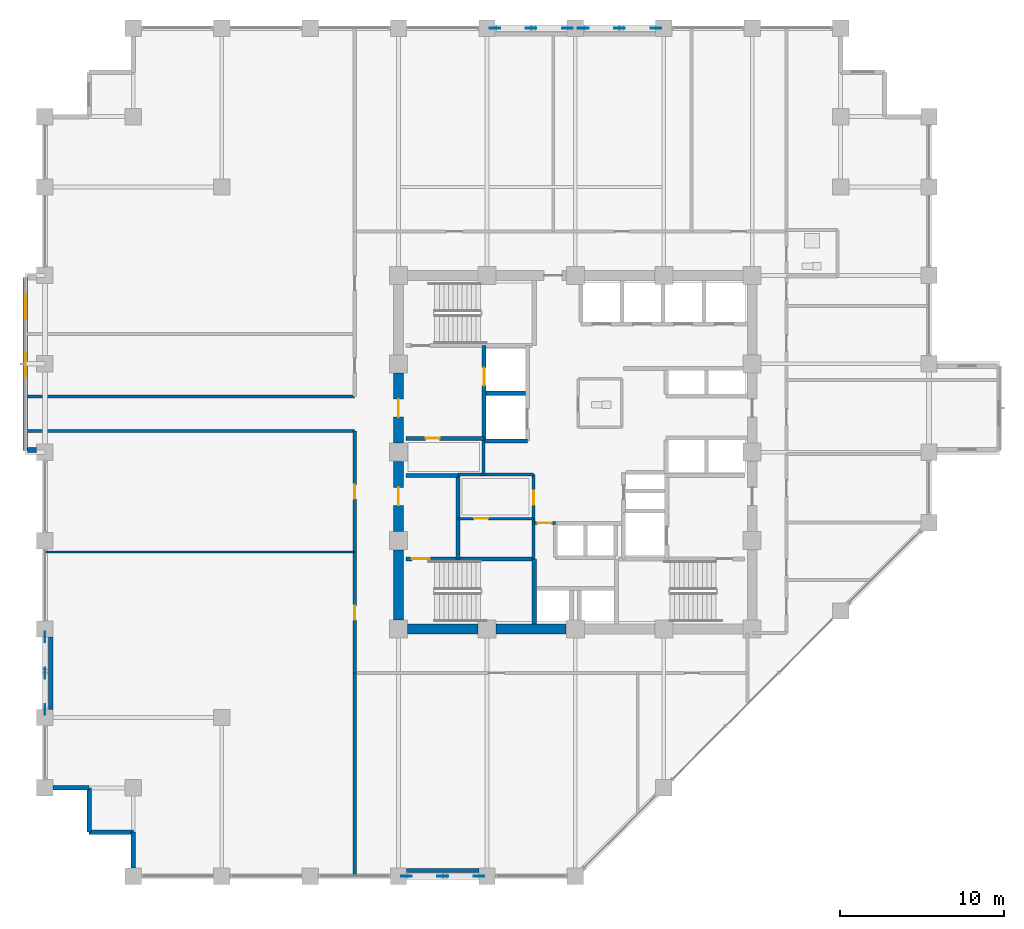
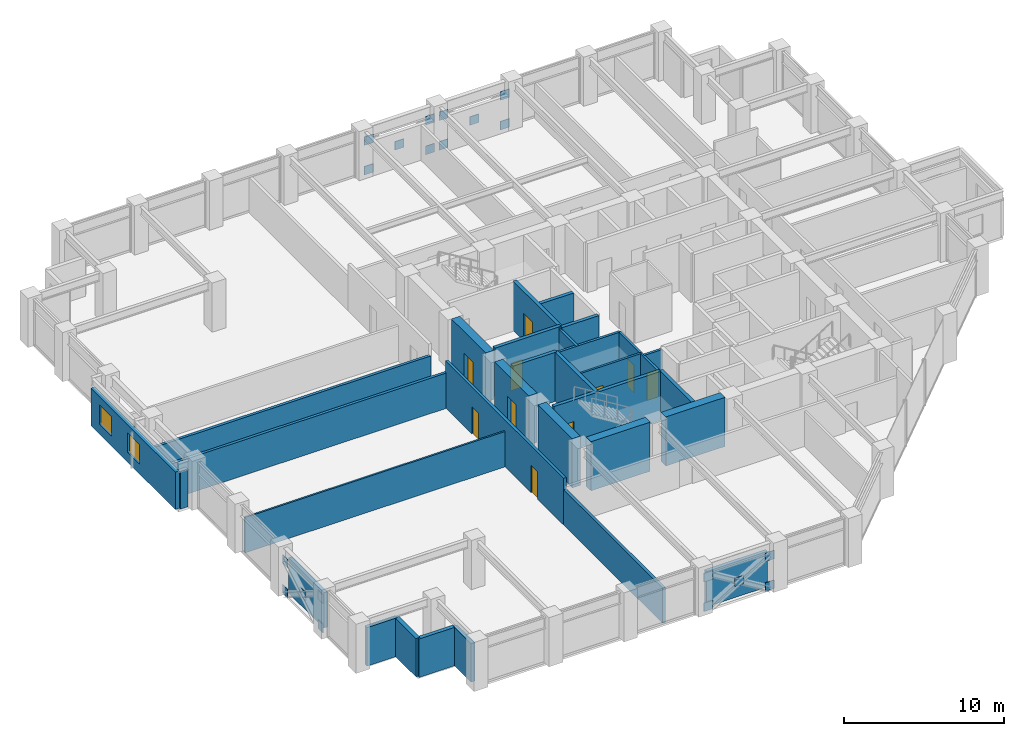
# One storey, part 18 of 25: 31 walls, 20 plates, 10 doors, 2 windows, 12 openings.
"""IFC4 building model written with IfcOpenShell, lengths in metres."""

from ifc_helpers import new_model, si_unit, direction, frame, frame_2d, origin, origin_2d, place, context, subcontext, project, spatial, rectangle, extrude, material, layer, layer_set, type_object, element, fill, save


model = new_model("IFC4")

# Units and contexts
model_context = context("Model", 3, precision=1e-05, world=origin(), true_north=direction((0.0, 1.0)))
body_context = subcontext(model_context, "Body", "Model", "MODEL_VIEW")
ifc_project = project(units=[si_unit("LENGTHUNIT", "METRE"), si_unit("AREAUNIT", "SQUARE_METRE"), si_unit("VOLUMEUNIT", "CUBIC_METRE"), si_unit("PLANEANGLEUNIT", "RADIAN"), si_unit("MASSUNIT", "GRAM", prefix="KILO")], contexts=[model_context])

# Site, building, storey
site_placement = place(None, origin())
site = spatial("IfcSite", under=ifc_project, at=site_placement, CompositionType="ELEMENT")
building_placement = place(site_placement, origin())
building = spatial("IfcBuilding", under=site, at=building_placement, Name="Surkhivell Harbour Commons", CompositionType="ELEMENT")
storey_placement = place(building_placement, frame((0.0, 0.0, 139.5)))
storey = spatial("IfcBuildingStorey", under=building, at=storey_placement, Name="L36", CompositionType="ELEMENT", Elevation=139.5)

# Plates
ifc_material_1 = material(Name="Steel S460", Category="steel")
ifc_layer_1 = layer(ifc_material_1, 0.044921875)
ifc_layer_set_1 = layer_set([ifc_layer_1], Name="Steel S460")
plate_type = type_object("IfcPlateType", Name="PLT-GUS-650", PredefinedType="USERDEFINED", material=ifc_layer_set_1)
for number, where, z_axis, x_axis, name in (
    (1, (-4.9150390625, 25.89990234375, -0.08935546875), (0.0, 0.0, 1.0), (1.0, 0.0, 0.0), "L36 Perimeter Mega-Brace MB- Corner Gusset N-1"),
    (2, (-0.485107421875, 25.89990234375, -0.08935546875), (0.0, 0.0, 1.0), (1.0, 0.0, 0.0), "L36 Perimeter Mega-Brace MB- Corner Gusset N-2"),
    (3, (-4.9150390625, 25.89990234375, 2.170654296875), (0.0, 0.0, 1.0), (1.0, 0.0, 0.0), "L36 Perimeter Mega-Brace MB- Corner Gusset N-3"),
    (4, (-0.485107421875, 25.89990234375, 2.170654296875), (0.0, 0.0, 1.0), (1.0, 0.0, 0.0), "L36 Perimeter Mega-Brace MB- Corner Gusset N-4"),
    (5, (-2.699951171875, 25.89990234375, 1.04052734375), (0.0, 0.0, 1.0), (1.0, 0.0, 0.0), "L36 Perimeter Mega-Brace MB- Central Crossing Gusset N"),
    (6, (0.485107421875, 25.89990234375, -0.08935546875), (0.0, 0.0, 1.0), (1.0, 0.0, 0.0), "L36 Perimeter Mega-Brace MB- Corner Gusset N2-1"),
    (7, (4.9150390625, 25.89990234375, -0.08935546875), (0.0, 0.0, 1.0), (1.0, 0.0, 0.0), "L36 Perimeter Mega-Brace MB- Corner Gusset N2-2"),
    (8, (0.485107421875, 25.89990234375, 2.170654296875), (0.0, 0.0, 1.0), (1.0, 0.0, 0.0), "L36 Perimeter Mega-Brace MB- Corner Gusset N2-3"),
    (9, (4.9150390625, 25.89990234375, 2.170654296875), (0.0, 0.0, 1.0), (1.0, 0.0, 0.0), "L36 Perimeter Mega-Brace MB- Corner Gusset N2-4"),
    (10, (2.699951171875, 25.89990234375, 1.04052734375), (0.0, 0.0, 1.0), (1.0, 0.0, 0.0), "L36 Perimeter Mega-Brace MB- Central Crossing Gusset N2"),
    (11, (-10.31494140625, -25.89990234375, -0.08935546875), (0.0, 0.0, 1.0), (1.0, 0.0, 0.0), "L36 Perimeter Mega-Brace MB- Corner Gusset S-1"),
    (12, (-5.885009765625, -25.89990234375, -0.08935546875), (0.0, 0.0, 1.0), (1.0, 0.0, 0.0), "L36 Perimeter Mega-Brace MB- Corner Gusset S-2"),
    (13, (-10.31494140625, -25.89990234375, 2.170654296875), (0.0, 0.0, 1.0), (1.0, 0.0, 0.0), "L36 Perimeter Mega-Brace MB- Corner Gusset S-3"),
    (14, (-5.885009765625, -25.89990234375, 2.170654296875), (0.0, 0.0, 1.0), (1.0, 0.0, 0.0), "L36 Perimeter Mega-Brace MB- Corner Gusset S-4"),
    (15, (-8.10009765625, -25.89990234375, 1.04052734375), (0.0, 0.0, 1.0), (1.0, 0.0, 0.0), "L36 Perimeter Mega-Brace MB- Central Crossing Gusset S"),
    (16, (-32.39990234375, -15.715087890625, -0.08935546875), (0.0, 0.0, 1.0), (0.0, 1.0, 0.0), "L36 Perimeter Mega-Brace MB- Corner Gusset W-1"),
    (17, (-32.39990234375, -11.284912109375, -0.08935546875), (0.0, 0.0, 1.0), (0.0, 1.0, 0.0), "L36 Perimeter Mega-Brace MB- Corner Gusset W-2"),
    (18, (-32.39990234375, -15.715087890625, 2.170654296875), (0.0, 0.0, 1.0), (0.0, 1.0, 0.0), "L36 Perimeter Mega-Brace MB- Corner Gusset W-3"),
    (19, (-32.39990234375, -11.284912109375, 2.170654296875), (0.0, 0.0, 1.0), (0.0, 1.0, 0.0), "L36 Perimeter Mega-Brace MB- Corner Gusset W-4"),
    (20, (-32.39990234375, -13.5, 1.04052734375), (0.0, 0.0, 1.0), (0.0, 1.0, 0.0), "L36 Perimeter Mega-Brace MB- Central Crossing Gusset W"),
):
    element("IfcPlate", number, at=place(storey_placement, frame(where, z_axis=z_axis, x_axis=x_axis)), inside=storey, type_object=plate_type, Name=name, ObjectType="GUSSET_PLATE", PredefinedType="USERDEFINED", context=body_context, shape_type="SweptSolid", body=[
        extrude(rectangle(XDim=0.64990234375, YDim=0.044921875, at=origin_2d()), origin(), (0.0, 0.0, 1.0), 0.64990234375),
    ])

# Walls
ifc_material_2 = material(Name="Concrete C60/75", Category="concrete")
ifc_layer_2 = layer(ifc_material_2, 0.60009765625)
ifc_layer_set_2 = layer_set([ifc_layer_2], Name="Concrete C60/75")
wall_type_1 = type_object("IfcWallType", Name="WAL-CORE-600", PredefinedType="SHEAR", material=ifc_layer_set_2)
for number, where, z_axis, x_axis, name in (
    (21, (-10.239990234375, -10.800048828125, 0.0), (0.0, 0.0, 1.0), (1.0, 0.0, 0.0), "L36 Core Shear Wall South 1"),
    (22, (-10.800048828125, -10.239990234375, 0.0), (0.0, 0.0, 1.0), (0.0, 1.0, 0.0), "L36 Core Shear Wall West 1"),
    (23, (-4.840087890625, -10.800048828125, 0.0), (0.0, 0.0, 1.0), (1.0, 0.0, 0.0), "L36 Core Shear Wall South 2"),
):
    element("IfcWall", number, at=place(storey_placement, frame(where, z_axis=z_axis, x_axis=x_axis)), inside=storey, type_object=wall_type_1, Name=name, PredefinedType="SHEAR", context=body_context, shape_type="SweptSolid", body=[
        extrude(rectangle(XDim=4.280029296875, YDim=0.60009765625, at=frame_2d((2.14013671875, 0.0))), origin(), (0.0, 0.0, 1.0), 3.75),
    ])

# Wall, opening, door
wall_1_placement = place(storey_placement, frame((-10.800048828125, -4.840087890625, 0.0), z_axis=(0.0, 0.0, 1.0), x_axis=(0.0, 1.0, 0.0)))
wall_1 = element("IfcWall", 24, at=wall_1_placement, inside=storey, type_object=wall_type_1, Name="L36 Core Shear Wall West 2", PredefinedType="SHEAR", context=body_context, shape_type="SweptSolid", body=[
    extrude(rectangle(XDim=4.280029296875, YDim=0.60009765625, at=frame_2d((2.14013671875, 0.0))), origin(), (0.0, 0.0, 1.0), 3.75),
])
opening_1_placement = place(wall_1_placement, frame((1.590087890625, 0.0, 0.0)))
opening_1 = element("IfcOpeningElement", 25, at=opening_1_placement, cuts=wall_1, Name="Opening ID-2", PredefinedType="OPENING", context=body_context, shape_type="SweptSolid", body=[
    extrude(rectangle(XDim=1.10009765625, YDim=2.10009765625, at=frame_2d((0.550048828125, 1.050048828125))), frame((0.0, 0.31005859375, 0.0), z_axis=(0.0, -1.0, 0.0), x_axis=(1.0, 0.0, 0.0)), (0.0, 0.0, 1.0), 0.6201171875),
])
ifc_material_3 = material(Name="Hardwood-veneered fire-rated door leaf", Category="wood")
door_type_1 = type_object("IfcDoorType", Name="DOR-FD60-1100", OperationType="NOTDEFINED", PredefinedType="DOOR", material=ifc_material_3)
door_1_placement = place(opening_1_placement, origin())
door_1 = element("IfcDoor", 26, at=door_1_placement, inside=storey, type_object=door_type_1, Name="L36 Stair 3 Lobby Corridor Door", OperationType="SINGLE_SWING_LEFT", OverallHeight=2.10009765625, OverallWidth=1.10009765625, PredefinedType="DOOR", context=body_context, shape_type="SweptSolid", body=[
    extrude(rectangle(XDim=1.10009765625, YDim=2.10009765625, at=frame_2d((0.550048828125, 1.050048828125))), frame((0.0, 0.02490234375, 0.0), z_axis=(0.0, -1.0, 0.0), x_axis=(1.0, 0.0, 0.0)), (0.0, 0.0, 1.0), 0.050048828125),
])
fill(opening_1, door_1)

wall_2_placement = place(storey_placement, frame((-10.800048828125, 0.56005859375, 0.0), z_axis=(0.0, 0.0, 1.0), x_axis=(0.0, 1.0, 0.0)))
wall_2 = element("IfcWall", 27, at=wall_2_placement, inside=storey, type_object=wall_type_1, Name="L36 Core Shear Wall West 3", PredefinedType="SHEAR", context=body_context, shape_type="SweptSolid", body=[
    extrude(rectangle(XDim=4.280029296875, YDim=0.60009765625, at=frame_2d((2.14013671875, 0.0))), origin(), (0.0, 0.0, 1.0), 3.75),
])
opening_2_placement = place(wall_2_placement, frame((1.590087890625, 0.0, 0.0)))
opening_2 = element("IfcOpeningElement", 28, at=opening_2_placement, cuts=wall_2, Name="Opening ID-1", PredefinedType="OPENING", context=body_context, shape_type="SweptSolid", body=[
    extrude(rectangle(XDim=1.10009765625, YDim=2.10009765625, at=frame_2d((0.550048828125, 1.050048828125))), frame((0.0, 0.31005859375, 0.0), z_axis=(0.0, -1.0, 0.0), x_axis=(1.0, 0.0, 0.0)), (0.0, 0.0, 1.0), 0.6201171875),
])
door_type_2 = type_object("IfcDoorType", Name="DOR-FD120-1100", OperationType="NOTDEFINED", PredefinedType="DOOR", material=ifc_material_3)
door_2_placement = place(opening_2_placement, origin())
door_2 = element("IfcDoor", 29, at=door_2_placement, inside=storey, type_object=door_type_2, Name="L36 Firefighting Lobby 1 Corridor Door", OperationType="SINGLE_SWING_LEFT", OverallHeight=2.10009765625, OverallWidth=1.10009765625, PredefinedType="DOOR", context=body_context, shape_type="SweptSolid", body=[
    extrude(rectangle(XDim=1.10009765625, YDim=2.10009765625, at=frame_2d((0.550048828125, 1.050048828125))), frame((0.0, 0.02490234375, 0.0), z_axis=(0.0, -1.0, 0.0), x_axis=(1.0, 0.0, 0.0)), (0.0, 0.0, 1.0), 0.050048828125),
])
fill(opening_2, door_2)

# Wall, openings, windows
ifc_material_4 = material(Name="Flemish-bond kiln brick and precast concrete C45/55", Category="masonry")
ifc_layer_3 = layer(ifc_material_4, 0.300048828125)
ifc_layer_set_3 = layer_set([ifc_layer_3], Name="Flemish-bond kiln brick and precast concrete C45/55")
wall_type_2 = type_object("IfcWallType", Name="WAL-EXT-BRK300", PredefinedType="STANDARD", material=ifc_layer_set_3)
wall_3_placement = place(storey_placement, frame((-33.60009765625, 10.679931640625, 0.0), z_axis=(0.0, 0.0, 1.0), x_axis=(0.0, -1.0, 0.0)))
wall_3 = element("IfcWall", 30, at=wall_3_placement, inside=storey, type_object=wall_type_2, Name="L36 Coloured Box Front Wall 02", PredefinedType="STANDARD", context=body_context, shape_type="SweptSolid", body=[
    extrude(rectangle(XDim=10.559814453125, YDim=0.300048828125, at=frame_2d((5.27978515625, 0.0))), origin(), (0.0, 0.0, 1.0), 2.85693359375),
])
opening_3_placement = place(wall_3_placement, frame((1.06494140625, 0.0, 0.75)))
opening_3 = element("IfcOpeningElement", 31, at=opening_3_placement, cuts=wall_3, Name="Opening WN-13", PredefinedType="OPENING", context=body_context, shape_type="SweptSolid", body=[
    extrude(rectangle(XDim=1.5, YDim=1.5, at=frame_2d((0.75, 0.75))), frame((0.0, 0.159912109375, 0.0), z_axis=(0.0, -1.0, 0.0), x_axis=(1.0, 0.0, 0.0)), (0.0, 0.0, 1.0), 0.320068359375),
])
opening_4_placement = place(wall_3_placement, frame((4.614990234375, 0.0, 0.75)))
opening_4 = element("IfcOpeningElement", 32, at=opening_4_placement, cuts=wall_3, Name="Opening WN-13", PredefinedType="OPENING", context=body_context, shape_type="SweptSolid", body=[
    extrude(rectangle(XDim=1.5, YDim=1.5, at=frame_2d((0.75, 0.75))), frame((0.0, 0.159912109375, 0.0), z_axis=(0.0, -1.0, 0.0), x_axis=(1.0, 0.0, 0.0)), (0.0, 0.0, 1.0), 0.320068359375),
])
ifc_material_5 = material(Name="Thermal-break aluminium frame and double low-E glazing", Category="aluminium")
window_type = type_object("IfcWindowType", Name="WIN-BOX-1500x1500", PartitioningType="SINGLE_PANEL", PredefinedType="WINDOW", material=ifc_material_5)
window_1_placement = place(opening_3_placement, origin())
window_1 = element("IfcWindow", 33, at=window_1_placement, inside=storey, type_object=window_type, Name="L36 Coloured Box Square Window 02-1", OverallHeight=1.5, OverallWidth=1.5, PartitioningType="SINGLE_PANEL", PredefinedType="WINDOW", context=body_context, shape_type="SweptSolid", body=[
    extrude(rectangle(XDim=1.5, YDim=1.5, at=frame_2d((0.75, 0.75))), frame((0.0, 0.030029296875, 0.0), z_axis=(0.0, -1.0, 0.0), x_axis=(1.0, 0.0, 0.0)), (0.0, 0.0, 1.0), 0.06005859375),
])
fill(opening_3, window_1)
window_2_placement = place(opening_4_placement, origin())
window_2 = element("IfcWindow", 34, at=window_2_placement, inside=storey, type_object=window_type, Name="L36 Coloured Box Square Window 02-2", OverallHeight=1.5, OverallWidth=1.5, PartitioningType="SINGLE_PANEL", PredefinedType="WINDOW", context=body_context, shape_type="SweptSolid", body=[
    extrude(rectangle(XDim=1.5, YDim=1.5, at=frame_2d((0.75, 0.75))), frame((0.0, 0.030029296875, 0.0), z_axis=(0.0, -1.0, 0.0), x_axis=(1.0, 0.0, 0.0)), (0.0, 0.0, 1.0), 0.06005859375),
])
fill(opening_4, window_2)

# Walls
wall_4_placement = place(storey_placement, frame((-33.4599609375, 0.139892578125, 0.0), z_axis=(0.0, 0.0, 1.0), x_axis=(1.0, 0.0, 0.0)))
element("IfcWall", 35, at=wall_4_placement, inside=storey, type_object=wall_type_2, Name="L36 Coloured Box Return Wall 02S", PredefinedType="STANDARD", context=body_context, shape_type="SweptSolid", body=[
    extrude(rectangle(XDim=0.555908203125, YDim=0.300048828125, at=frame_2d((0.27783203125, 0.0))), origin(), (0.0, 0.0, 1.0), 2.85693359375),
])
ifc_material_6 = material(Name="Pale-metal insulated precast concrete C45/55", Category="concrete")
ifc_layer_4 = layer(ifc_material_6, 0.260009765625)
ifc_layer_set_4 = layer_set([ifc_layer_4], Name="Pale-metal insulated precast concrete C45/55")
wall_type_3 = type_object("IfcWallType", Name="WAL-EXT-MTL260", PredefinedType="STANDARD", material=ifc_layer_set_4)
wall_5_placement = place(storey_placement, frame((-10.302001953125, -25.5400390625, 0.0), z_axis=(0.0, 0.0, 1.0), x_axis=(1.0, 0.0, 0.0)))
element("IfcWall", 36, at=wall_5_placement, inside=storey, type_object=wall_type_3, Name="L36 Braced-Bay Insulated Spandrel Backing S", PredefinedType="STANDARD", context=body_context, shape_type="SweptSolid", body=[
    extrude(rectangle(XDim=4.404052734375, YDim=0.260009765625, at=frame_2d((2.2021484375, 0.0))), origin(), (0.0, 0.0, 1.0), 2.698974609375),
])
wall_6_placement = place(storey_placement, frame((-32.0400390625, -15.701904296875, 0.0), z_axis=(0.0, 0.0, 1.0), x_axis=(0.0, 1.0, 0.0)))
element("IfcWall", 37, at=wall_6_placement, inside=storey, type_object=wall_type_3, Name="L36 Braced-Bay Insulated Spandrel Backing W", PredefinedType="STANDARD", context=body_context, shape_type="SweptSolid", body=[
    extrude(rectangle(XDim=4.40380859375, YDim=0.260009765625, at=frame_2d((2.201904296875, 0.0))), origin(), (0.0, 0.0, 1.0), 2.698974609375),
])
ifc_material_7 = material(Name="Terracotta-clad reinforced concrete C45/55", Category="masonry")
ifc_layer_5 = layer(ifc_material_7, 0.280029296875)
ifc_layer_set_5 = layer_set([ifc_layer_5], Name="Terracotta-clad reinforced concrete C45/55")
wall_type_4 = type_object("IfcWallType", Name="WAL-EXT-TER280", PredefinedType="STANDARD", material=ifc_layer_set_5)
wall_7_placement = place(storey_placement, frame((-31.902099609375, -20.5, 0.0), z_axis=(0.0, 0.0, 1.0), x_axis=(1.0, 0.0, 0.0)))
element("IfcWall", 38, at=wall_7_placement, inside=storey, type_object=wall_type_4, Name="L36 Serrated Corner Facade Wall 13", PredefinedType="STANDARD", context=body_context, shape_type="SweptSolid", body=[
    extrude(rectangle(XDim=2.2021484375, YDim=0.280029296875, at=frame_2d((1.10107421875, 0.0))), origin(), (0.0, 0.0, 1.0), 2.93310546875),
])
for number, where, z_axis, x_axis, name in (
    (39, (-29.699951171875, -20.5, 0.0), (0.0, 0.0, 1.0), (0.0, -1.0, 0.0), "L36 Serrated Corner Facade Wall 14"),
    (40, (-29.699951171875, -23.199951171875, 0.0), (0.0, 0.0, 1.0), (1.0, 0.0, 0.0), "L36 Serrated Corner Facade Wall 15"),
):
    element("IfcWall", number, at=place(storey_placement, frame(where, z_axis=z_axis, x_axis=x_axis)), inside=storey, type_object=wall_type_4, Name=name, PredefinedType="STANDARD", context=body_context, shape_type="SweptSolid", body=[
        extrude(rectangle(XDim=2.699951171875, YDim=0.280029296875, at=frame_2d((1.35009765625, 0.0))), origin(), (0.0, 0.0, 1.0), 2.93310546875),
    ])
wall_8_placement = place(storey_placement, frame((-27.0, -23.199951171875, 0.0), z_axis=(0.0, 0.0, 1.0), x_axis=(0.0, -1.0, 0.0)))
element("IfcWall", 41, at=wall_8_placement, inside=storey, type_object=wall_type_4, Name="L36 Serrated Corner Facade Wall 16", PredefinedType="STANDARD", context=body_context, shape_type="SweptSolid", body=[
    extrude(rectangle(XDim=2.2021484375, YDim=0.280029296875, at=frame_2d((1.10107421875, 0.0))), origin(), (0.0, 0.0, 1.0), 2.93310546875),
])
ifc_material_8 = material(Name="Moisture-resistant acoustic stud partition", Category="other")
ifc_layer_6 = layer(ifc_material_8, 0.125)
ifc_layer_set_6 = layer_set([ifc_layer_6], Name="Moisture-resistant acoustic stud partition")
wall_type_5 = type_object("IfcWallType", Name="WAL-INT-125", PredefinedType="PARTITIONING", material=ifc_layer_set_6)
wall_9_placement = place(storey_placement, frame((-32.340087890625, -6.090087890625, 0.0), z_axis=(0.0, 0.0, 1.0), x_axis=(1.0, 0.0, 0.0)))
element("IfcWall", 42, at=wall_9_placement, inside=storey, type_object=wall_type_5, Name="L36 South-West Partition P1", PredefinedType="PARTITIONING", context=body_context, shape_type="SweptSolid", body=[
    extrude(rectangle(XDim=18.860107421875, YDim=0.125, at=frame_2d((9.43017578125, 0.0))), origin(), (0.0, 0.0, 1.0), 2.698974609375),
])

# Wall, opening, door
ifc_material_9 = material(Name="Twin-stud acoustic fireboard partition", Category="other")
ifc_layer_7 = layer(ifc_material_9, 0.14990234375)
ifc_layer_set_7 = layer_set([ifc_layer_7], Name="Twin-stud acoustic fireboard partition")
wall_type_6 = type_object("IfcWallType", Name="WAL-INT-150", PredefinedType="PARTITIONING", material=ifc_layer_set_7)
wall_10_placement = place(storey_placement, frame((-7.179931640625, -4.050048828125, 0.0), z_axis=(0.0, 0.0, 1.0), x_axis=(1.0, 0.0, 0.0)))
wall_10 = element("IfcWall", 43, at=wall_10_placement, inside=storey, type_object=wall_type_6, Name="L36 Core Cut A Partition", PredefinedType="PARTITIONING", context=body_context, shape_type="SweptSolid", body=[
    extrude(rectangle(XDim=4.6298828125, YDim=0.14990234375, at=frame_2d((2.31494140625, 0.0))), origin(), (0.0, 0.0, 1.0), 3.570068359375),
])
opening_5_placement = place(wall_10_placement, frame((1.0, 0.0, 0.0)))
opening_5 = element("IfcOpeningElement", 44, at=opening_5_placement, cuts=wall_10, Name="Opening ID-6", PredefinedType="OPENING", context=body_context, shape_type="SweptSolid", body=[
    extrude(rectangle(XDim=0.85009765625, YDim=2.10009765625, at=frame_2d((0.425048828125, 1.050048828125))), frame((0.0, 0.0849609375, 0.0), z_axis=(0.0, -1.0, 0.0), x_axis=(1.0, 0.0, 0.0)), (0.0, 0.0, 1.0), 0.169921875),
])
door_type_3 = type_object("IfcDoorType", Name="DOR-FD30-850", OperationType="NOTDEFINED", PredefinedType="DOOR", material=ifc_material_3)
door_3_placement = place(opening_5_placement, origin())
door_3 = element("IfcDoor", 45, at=door_3_placement, inside=storey, type_object=door_type_3, Name="L36 Linen Room Door", OperationType="SINGLE_SWING_RIGHT", OverallHeight=2.10009765625, OverallWidth=0.85009765625, PredefinedType="DOOR", context=body_context, shape_type="SweptSolid", body=[
    extrude(rectangle(XDim=0.85009765625, YDim=2.10009765625, at=frame_2d((0.425048828125, 1.050048828125))), frame((0.0, 0.02490234375, 0.0), z_axis=(0.0, -1.0, 0.0), x_axis=(1.0, 0.0, 0.0)), (0.0, 0.0, 1.0), 0.050048828125),
])
fill(opening_5, door_3)

ifc_material_10 = material(Name="High-density acoustic blockwork fire partition", Category="masonry")
ifc_layer_8 = layer(ifc_material_10, 0.175048828125)
ifc_layer_set_8 = layer_set([ifc_layer_8], Name="High-density acoustic blockwork fire partition")
wall_type_7 = type_object("IfcWallType", Name="WAL-INT-175", PredefinedType="PARTITIONING", material=ifc_layer_set_8)
wall_11_placement = place(storey_placement, frame((-2.550048828125, -6.510009765625, 0.0), z_axis=(0.0, 0.0, 1.0), x_axis=(0.0, 1.0, 0.0)))
wall_11 = element("IfcWall", 46, at=wall_11_placement, inside=storey, type_object=wall_type_7, Name="L36 Core Service Bay East Wall", PredefinedType="PARTITIONING", context=body_context, shape_type="SweptSolid", body=[
    extrude(rectangle(XDim=5.159912109375, YDim=0.175048828125, at=frame_2d((2.580078125, 0.0))), origin(), (0.0, 0.0, 1.0), 3.570068359375),
])
opening_6_placement = place(wall_11_placement, frame((3.300048828125, 0.0, 0.0)))
opening_6 = element("IfcOpeningElement", 47, at=opening_6_placement, cuts=wall_11, Name="Opening ID-6", PredefinedType="OPENING", context=body_context, shape_type="SweptSolid", body=[
    extrude(rectangle(XDim=0.85009765625, YDim=2.10009765625, at=frame_2d((0.425048828125, 1.050048828125))), frame((0.0, 0.097412109375, 0.0), z_axis=(0.0, -1.0, 0.0), x_axis=(1.0, 0.0, 0.0)), (0.0, 0.0, 1.0), 0.195068359375),
])
door_4_placement = place(opening_6_placement, origin())
door_4 = element("IfcDoor", 48, at=door_4_placement, inside=storey, type_object=door_type_3, Name="L36 Core Reading Alcove Door", OperationType="SINGLE_SWING_LEFT", OverallHeight=2.10009765625, OverallWidth=0.85009765625, PredefinedType="DOOR", context=body_context, shape_type="SweptSolid", body=[
    extrude(rectangle(XDim=0.85009765625, YDim=2.10009765625, at=frame_2d((0.425048828125, 1.050048828125))), frame((0.0, 0.02490234375, 0.0), z_axis=(0.0, -1.0, 0.0), x_axis=(1.0, 0.0, 0.0)), (0.0, 0.0, 1.0), 0.050048828125),
])
fill(opening_6, door_4)

# Walls
wall_12_placement = place(storey_placement, frame((-7.179931640625, -1.35009765625, 0.0), z_axis=(0.0, 0.0, 1.0), x_axis=(1.0, 0.0, 0.0)))
element("IfcWall", 49, at=wall_12_placement, inside=storey, type_object=wall_type_7, Name="L36 Core Service Bay North Wall", PredefinedType="PARTITIONING", context=body_context, shape_type="SweptSolid", body=[
    extrude(rectangle(XDim=4.6298828125, YDim=0.175048828125, at=frame_2d((2.31494140625, 0.0))), origin(), (0.0, 0.0, 1.0), 3.570068359375),
])
wall_13_placement = place(storey_placement, frame((-5.6201171875, -1.419921875, 0.0), z_axis=(0.0, 0.0, 1.0), x_axis=(0.0, 1.0, 0.0)))
element("IfcWall", 50, at=wall_13_placement, inside=storey, type_object=wall_type_7, Name="L36 West Core Bay East Wall", PredefinedType="PARTITIONING", context=body_context, shape_type="SweptSolid", body=[
    extrude(rectangle(XDim=2.139892578125, YDim=0.175048828125, at=frame_2d((1.06982421875, 0.0))), origin(), (0.0, 0.0, 1.0), 3.570068359375),
])

# Wall, opening, door
wall_14_placement = place(storey_placement, frame((-2.52001953125, -4.320068359375, 0.0), z_axis=(0.0, 0.0, 1.0), x_axis=(1.0, 0.0, 0.0)))
wall_14 = element("IfcWall", 51, at=wall_14_placement, inside=storey, type_object=wall_type_7, Name="L36 High-Rise Lobby North Portal Wall", PredefinedType="PARTITIONING", context=body_context, shape_type="SweptSolid", body=[
    extrude(rectangle(XDim=1.300048828125, YDim=0.175048828125, at=frame_2d((0.64990234375, 0.0))), origin(), (0.0, 0.0, 1.0), 3.570068359375),
])
opening_7_placement = place(wall_14_placement, frame((0.219970703125, 0.0, 0.0)))
opening_7 = element("IfcOpeningElement", 52, at=opening_7_placement, cuts=wall_14, Name="Opening ID-6", PredefinedType="OPENING", context=body_context, shape_type="SweptSolid", body=[
    extrude(rectangle(XDim=0.85009765625, YDim=2.10009765625, at=frame_2d((0.425048828125, 1.050048828125))), frame((0.0, 0.097412109375, 0.0), z_axis=(0.0, -1.0, 0.0), x_axis=(1.0, 0.0, 0.0)), (0.0, 0.0, 1.0), 0.195068359375),
])
door_5_placement = place(opening_7_placement, origin())
door_5 = element("IfcDoor", 53, at=door_5_placement, inside=storey, type_object=door_type_3, Name="L36 High-Rise Lift Lobby North Door", OperationType="SINGLE_SWING_LEFT", OverallHeight=2.10009765625, OverallWidth=0.85009765625, PredefinedType="DOOR", context=body_context, shape_type="SweptSolid", body=[
    extrude(rectangle(XDim=0.85009765625, YDim=2.10009765625, at=frame_2d((0.425048828125, 1.050048828125))), frame((0.0, 0.02490234375, 0.0), z_axis=(0.0, -1.0, 0.0), x_axis=(1.0, 0.0, 0.0)), (0.0, 0.0, 1.0), 0.050048828125),
])
fill(opening_7, door_5)

# Walls
ifc_material_11 = material(Name="Autoclaved aerated concrete blockwork and fire plaster", Category="masonry")
ifc_layer_9 = layer(ifc_material_11, 0.199951171875)
ifc_layer_set_9 = layer_set([ifc_layer_9], Name="Autoclaved aerated concrete blockwork and fire plaster")
wall_type_8 = type_object("IfcWallType", Name="WAL-INT-200", PredefinedType="PARTITIONING", material=ifc_layer_set_9)
wall_15_placement = place(storey_placement, frame((-13.47998046875, -25.840087890625, 0.0), z_axis=(0.0, 0.0, 1.0), x_axis=(0.0, 1.0, 0.0)))
element("IfcWall", 54, at=wall_15_placement, inside=storey, type_object=wall_type_8, Name="L36 South-West Wing Corner Divider", PredefinedType="PARTITIONING", context=body_context, shape_type="SweptSolid", body=[
    extrude(rectangle(XDim=12.360107421875, YDim=0.199951171875, at=frame_2d((6.18017578125, 0.0))), origin(), (0.0, 0.0, 1.0), 2.698974609375),
])
for number, where, z_axis, x_axis, name in (
    (55, (-33.5400390625, 3.39990234375, 0.0), (0.0, 0.0, 1.0), (1.0, 0.0, 0.0), "L36 West Alcove North Wall"),
    (56, (-33.5400390625, 1.300048828125, 0.0), (0.0, 0.0, 1.0), (1.0, 0.0, 0.0), "L36 West Alcove South Wall"),
):
    element("IfcWall", number, at=place(storey_placement, frame(where, z_axis=z_axis, x_axis=x_axis)), inside=storey, type_object=wall_type_8, Name=name, PredefinedType="PARTITIONING", context=body_context, shape_type="SweptSolid", body=[
        extrude(rectangle(XDim=20.06005859375, YDim=0.199951171875, at=frame_2d((10.030029296875, 0.0))), origin(), (0.0, 0.0, 1.0), 2.698974609375),
    ])

# Wall, openings, doors
wall_16_placement = place(storey_placement, frame((-13.47998046875, -13.47998046875, 0.0), z_axis=(0.0, 0.0, 1.0), x_axis=(0.0, 1.0, 0.0)))
wall_16 = element("IfcWall", 57, at=wall_16_placement, inside=storey, type_object=wall_type_8, Name="L36 Corridor West-Lower Wall", PredefinedType="PARTITIONING", context=body_context, shape_type="SweptSolid", body=[
    extrude(rectangle(XDim=14.780029296875, YDim=0.199951171875, at=frame_2d((7.39013671875, 0.0))), origin(), (0.0, 0.0, 1.0), 3.570068359375),
])
opening_8_placement = place(wall_16_placement, frame((3.2451171875, 0.0, 0.0)))
opening_8 = element("IfcOpeningElement", 58, at=opening_8_placement, cuts=wall_16, Name="Opening ID-6", PredefinedType="OPENING", context=body_context, shape_type="SweptSolid", body=[
    extrude(rectangle(XDim=0.85009765625, YDim=2.10009765625, at=frame_2d((0.425048828125, 1.050048828125))), frame((0.0, 0.10986328125, 0.0), z_axis=(0.0, -1.0, 0.0), x_axis=(1.0, 0.0, 0.0)), (0.0, 0.0, 1.0), 0.219970703125),
])
opening_9_placement = place(wall_16_placement, frame((10.635009765625, 0.0, 0.0)))
opening_9 = element("IfcOpeningElement", 59, at=opening_9_placement, cuts=wall_16, Name="Opening ID-6", PredefinedType="OPENING", context=body_context, shape_type="SweptSolid", body=[
    extrude(rectangle(XDim=0.85009765625, YDim=2.10009765625, at=frame_2d((0.425048828125, 1.050048828125))), frame((0.0, 0.10986328125, 0.0), z_axis=(0.0, -1.0, 0.0), x_axis=(1.0, 0.0, 0.0)), (0.0, 0.0, 1.0), 0.219970703125),
])
door_6_placement = place(opening_8_placement, origin())
door_6 = element("IfcDoor", 60, at=door_6_placement, inside=storey, type_object=door_type_3, Name="L36 Campus Co-Op Bookshop South-West Door", OperationType="SINGLE_SWING_RIGHT", OverallHeight=2.10009765625, OverallWidth=0.85009765625, PredefinedType="DOOR", context=body_context, shape_type="SweptSolid", body=[
    extrude(rectangle(XDim=0.85009765625, YDim=2.10009765625, at=frame_2d((0.425048828125, 1.050048828125))), frame((0.0, 0.02490234375, 0.0), z_axis=(0.0, -1.0, 0.0), x_axis=(1.0, 0.0, 0.0)), (0.0, 0.0, 1.0), 0.050048828125),
])
fill(opening_8, door_6)
door_7_placement = place(opening_9_placement, origin())
door_7 = element("IfcDoor", 61, at=door_7_placement, inside=storey, type_object=door_type_3, Name="L36 Harbour Espresso Cafe Shop South-West Door", OperationType="SINGLE_SWING_LEFT", OverallHeight=2.10009765625, OverallWidth=0.85009765625, PredefinedType="DOOR", context=body_context, shape_type="SweptSolid", body=[
    extrude(rectangle(XDim=0.85009765625, YDim=2.10009765625, at=frame_2d((0.425048828125, 1.050048828125))), frame((0.0, 0.02490234375, 0.0), z_axis=(0.0, -1.0, 0.0), x_axis=(1.0, 0.0, 0.0)), (0.0, 0.0, 1.0), 0.050048828125),
])
fill(opening_9, door_7)

# Wall, opening, door
ifc_material_12 = material(Name="Concrete C50/60", Category="concrete")
ifc_layer_10 = layer(ifc_material_12, 0.25)
ifc_layer_set_10 = layer_set([ifc_layer_10], Name="Concrete C50/60")
wall_type_9 = type_object("IfcWallType", Name="WAL-SHAFT-250", PredefinedType="SHEAR", material=ifc_layer_set_10)
wall_17_placement = place(storey_placement, frame((-5.580078125, 0.719970703125, 0.0), z_axis=(0.0, 0.0, 1.0), x_axis=(0.0, 1.0, 0.0)))
wall_17 = element("IfcWall", 62, at=wall_17_placement, inside=storey, type_object=wall_type_9, Name="L36 Firefighting Lobby 1 East Shaft Wall", PredefinedType="SHEAR", context=body_context, shape_type="SweptSolid", body=[
    extrude(rectangle(XDim=5.7900390625, YDim=0.25, at=frame_2d((2.89501953125, 0.0))), origin(), (0.0, 0.0, 1.0), 3.75),
])
opening_10_placement = place(wall_17_placement, frame((3.35009765625, 0.0, 0.0)))
opening_10 = element("IfcOpeningElement", 63, at=opening_10_placement, cuts=wall_17, Name="Opening LD-1", PredefinedType="OPENING", context=body_context, shape_type="SweptSolid", body=[
    extrude(rectangle(XDim=1.10009765625, YDim=2.10009765625, at=frame_2d((0.550048828125, 1.050048828125))), frame((0.0, 0.135009765625, 0.0), z_axis=(0.0, -1.0, 0.0), x_axis=(1.0, 0.0, 0.0)), (0.0, 0.0, 1.0), 0.27001953125),
])
ifc_material_13 = material(Name="Brushed stainless steel S355", Category="steel")
door_type_4 = type_object("IfcDoorType", Name="DOR-LD-1100", OperationType="SLIDING_TO_LEFT", PredefinedType="DOOR", material=ifc_material_13)
door_8_placement = place(opening_10_placement, origin())
door_8 = element("IfcDoor", 64, at=door_8_placement, inside=storey, type_object=door_type_4, Name="L36 Lift Landing Door LD-FFL1", OperationType="SLIDING_TO_LEFT", OverallHeight=2.10009765625, OverallWidth=1.10009765625, PredefinedType="DOOR", context=body_context, shape_type="SweptSolid", body=[
    extrude(rectangle(XDim=1.10009765625, YDim=2.10009765625, at=frame_2d((0.550048828125, 1.050048828125))), frame((0.0, 0.02490234375, 0.0), z_axis=(0.0, -1.0, 0.0), x_axis=(1.0, 0.0, 0.0)), (0.0, 0.0, 1.0), 0.050048828125),
])
fill(opening_10, door_8)

wall_18_placement = place(storey_placement, frame((-10.340087890625, 0.85009765625, 0.0), z_axis=(0.0, 0.0, 1.0), x_axis=(1.0, 0.0, 0.0)))
wall_18 = element("IfcWall", 65, at=wall_18_placement, inside=storey, type_object=wall_type_9, Name="L36 Firefighting Lobby 1 South Wall", PredefinedType="SHEAR", context=body_context, shape_type="SweptSolid", body=[
    extrude(rectangle(XDim=4.760009765625, YDim=0.25, at=frame_2d((2.3798828125, 0.0))), origin(), (0.0, 0.0, 1.0), 3.75),
])
opening_11_placement = place(wall_18_placement, frame((1.199951171875, 0.0, 0.0)))
opening_11 = element("IfcOpeningElement", 66, at=opening_11_placement, cuts=wall_18, Name="Opening ID-6", PredefinedType="OPENING", context=body_context, shape_type="SweptSolid", body=[
    extrude(rectangle(XDim=0.85009765625, YDim=2.10009765625, at=frame_2d((0.425048828125, 1.050048828125))), frame((0.0, 0.135009765625, 0.0), z_axis=(0.0, -1.0, 0.0), x_axis=(1.0, 0.0, 0.0)), (0.0, 0.0, 1.0), 0.27001953125),
])
door_9_placement = place(opening_11_placement, origin())
door_9 = element("IfcDoor", 67, at=door_9_placement, inside=storey, type_object=door_type_3, Name="L36 West Quiet Study Door", OperationType="SINGLE_SWING_RIGHT", OverallHeight=2.10009765625, OverallWidth=0.85009765625, PredefinedType="DOOR", context=body_context, shape_type="SweptSolid", body=[
    extrude(rectangle(XDim=0.85009765625, YDim=2.10009765625, at=frame_2d((0.425048828125, 1.050048828125))), frame((0.0, 0.02490234375, 0.0), z_axis=(0.0, -1.0, 0.0), x_axis=(1.0, 0.0, 0.0)), (0.0, 0.0, 1.0), 0.050048828125),
])
fill(opening_11, door_9)

# Walls
wall_19_placement = place(storey_placement, frame((-2.510009765625, -10.5, 0.0), z_axis=(0.0, 0.0, 1.0), x_axis=(0.0, 1.0, 0.0)))
element("IfcWall", 68, at=wall_19_placement, inside=storey, type_object=wall_type_9, Name="L36 Stair ST3 East Shear Wall", PredefinedType="SHEAR", context=body_context, shape_type="SweptSolid", body=[
    extrude(rectangle(XDim=3.989990234375, YDim=0.25, at=frame_2d((1.9951171875, 0.0))), origin(), (0.0, 0.0, 1.0), 3.75),
])
wall_20_placement = place(storey_placement, frame((-7.179931640625, -6.510009765625, 0.0), z_axis=(0.0, 0.0, 1.0), x_axis=(0.0, 1.0, 0.0)))
element("IfcWall", 69, at=wall_20_placement, inside=storey, type_object=wall_type_9, Name="L36 Stair 3 Lobby East Wall", PredefinedType="SHEAR", context=body_context, shape_type="SweptSolid", body=[
    extrude(rectangle(XDim=5.090087890625, YDim=0.25, at=frame_2d((2.544921875, 0.0))), origin(), (0.0, 0.0, 1.0), 3.75),
])
wall_21_placement = place(storey_placement, frame((-10.340087890625, -1.419921875, 0.0), z_axis=(0.0, 0.0, 1.0), x_axis=(1.0, 0.0, 0.0)))
element("IfcWall", 70, at=wall_21_placement, inside=storey, type_object=wall_type_9, Name="L36 Stair 3 Lobby North Wall", PredefinedType="SHEAR", context=body_context, shape_type="SweptSolid", body=[
    extrude(rectangle(XDim=3.16015625, YDim=0.25, at=frame_2d((1.580078125, 0.0))), origin(), (0.0, 0.0, 1.0), 3.75),
])

# Wall, opening, door
wall_22_placement = place(storey_placement, frame((-10.340087890625, -6.510009765625, 0.0), z_axis=(0.0, 0.0, 1.0), x_axis=(1.0, 0.0, 0.0)))
wall_22 = element("IfcWall", 71, at=wall_22_placement, inside=storey, type_object=wall_type_9, Name="L36 Stair ST3 North Shear Wall", PredefinedType="SHEAR", context=body_context, shape_type="SweptSolid", body=[
    extrude(rectangle(XDim=7.7001953125, YDim=0.25, at=frame_2d((3.85009765625, 0.0))), origin(), (0.0, 0.0, 1.0), 3.75),
])
opening_12_placement = place(wall_22_placement, frame((0.35009765625, 0.0, 0.0)))
opening_12 = element("IfcOpeningElement", 72, at=opening_12_placement, cuts=wall_22, Name="Opening ID-2", PredefinedType="OPENING", context=body_context, shape_type="SweptSolid", body=[
    extrude(rectangle(XDim=1.10009765625, YDim=2.10009765625, at=frame_2d((0.550048828125, 1.050048828125))), frame((0.0, 0.135009765625, 0.0), z_axis=(0.0, -1.0, 0.0), x_axis=(1.0, 0.0, 0.0)), (0.0, 0.0, 1.0), 0.27001953125),
])
door_10_placement = place(opening_12_placement, origin())
door_10 = element("IfcDoor", 73, at=door_10_placement, inside=storey, type_object=door_type_1, Name="L36 Stair ST3 Exit Door", OperationType="SINGLE_SWING_RIGHT", OverallHeight=2.10009765625, OverallWidth=1.10009765625, PredefinedType="DOOR", context=body_context, shape_type="SweptSolid", body=[
    extrude(rectangle(XDim=1.10009765625, YDim=2.10009765625, at=frame_2d((0.550048828125, 1.050048828125))), frame((0.0, 0.02490234375, 0.0), z_axis=(0.0, -1.0, 0.0), x_axis=(1.0, 0.0, 0.0)), (0.0, 0.0, 1.0), 0.050048828125),
])
fill(opening_12, door_10)

# Walls
wall_23_placement = place(storey_placement, frame((-5.449951171875, 3.60009765625, 0.0), z_axis=(0.0, 0.0, 1.0), x_axis=(1.0, 0.0, 0.0)))
element("IfcWall", 74, at=wall_23_placement, inside=storey, type_object=wall_type_9, Name="L36 FFL1/SVL1 Shaft Divider", PredefinedType="SHEAR", context=body_context, shape_type="SweptSolid", body=[
    extrude(rectangle(XDim=2.389892578125, YDim=0.25, at=frame_2d((1.19482421875, 0.0))), origin(), (0.0, 0.0, 1.0), 3.75),
])
wall_24_placement = place(storey_placement, frame((-5.580078125, 0.679931640625, 0.0), z_axis=(0.0, 0.0, 1.0), x_axis=(1.0, 0.0, 0.0)))
element("IfcWall", 75, at=wall_24_placement, inside=storey, type_object=wall_type_9, Name="L36 SVL1 South Shaft Wall", PredefinedType="SHEAR", context=body_context, shape_type="SweptSolid", body=[
    extrude(rectangle(XDim=2.650146484375, YDim=0.25, at=frame_2d((1.3251953125, 0.0))), origin(), (0.0, 0.0, 1.0), 3.75),
])

save(model, "model.ifc")
